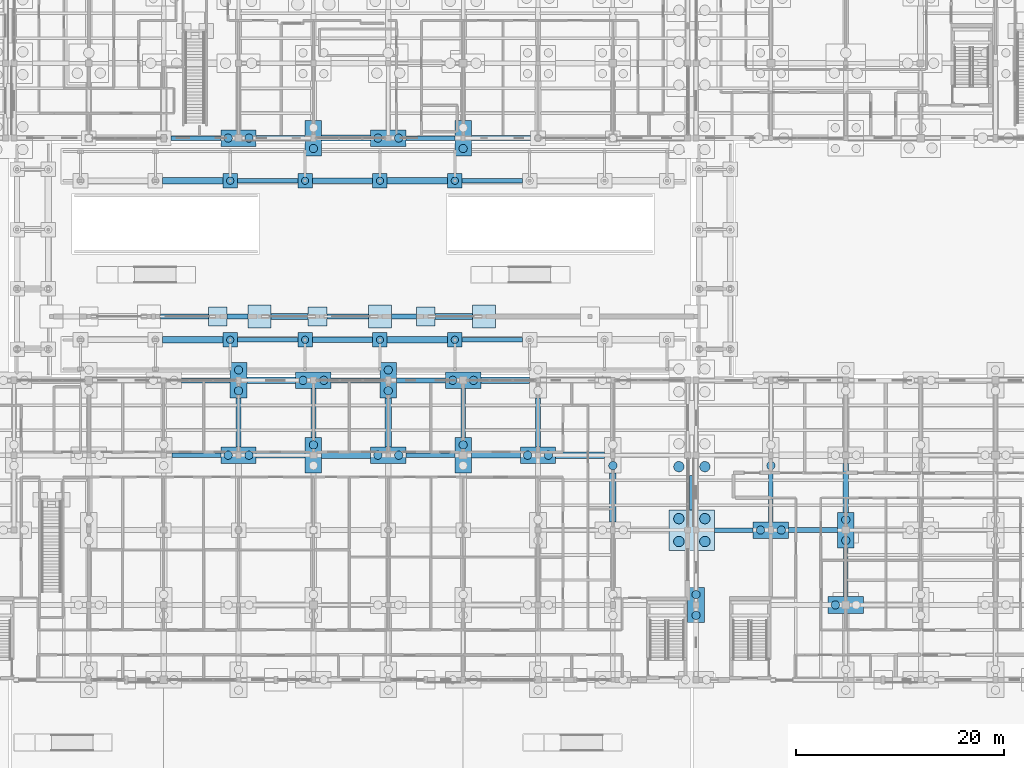
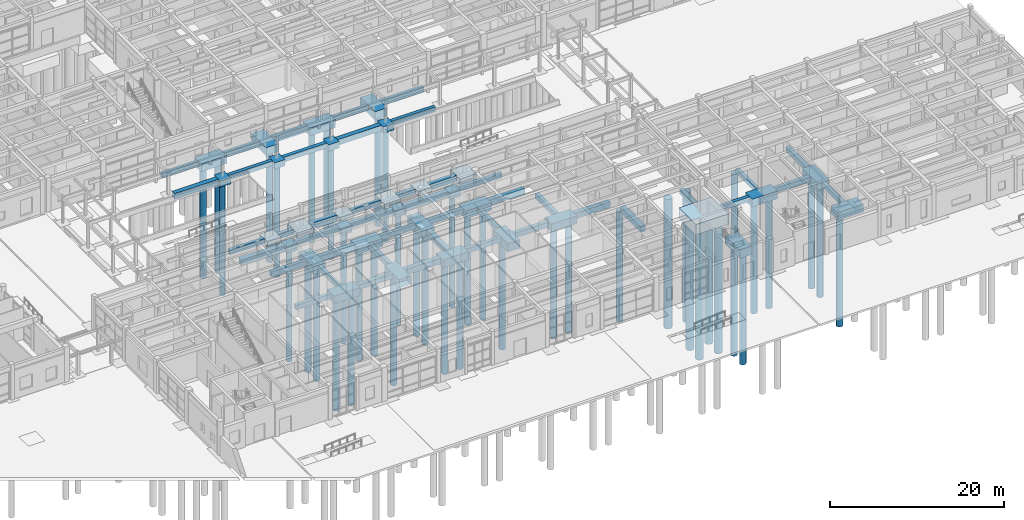
# One storey, part 4 of 143: 76 footings, 45 piles.
"""IFC4 building model written with IfcOpenShell, lengths in metres."""

from ifc_helpers import new_model, si_unit, direction, frame, origin, origin_2d, place, context, subcontext, project, spatial, rectangle, circle, extrude, material, material_profile, profile_set, type_object, element, save


model = new_model("IFC4")

# Units and contexts
model_context = context("Model", 3, precision=1e-05, world=origin(), true_north=direction((0.0, 1.0)))
body_context = subcontext(model_context, "Body", "Model", "MODEL_VIEW")
ifc_project = project(units=[si_unit("LENGTHUNIT", "METRE"), si_unit("AREAUNIT", "SQUARE_METRE"), si_unit("VOLUMEUNIT", "CUBIC_METRE"), si_unit("PLANEANGLEUNIT", "RADIAN"), si_unit("MASSUNIT", "GRAM", prefix="KILO")], contexts=[model_context])

# Site, building, storey
site_placement = place(None, origin())
site = spatial("IfcSite", under=ifc_project, at=site_placement, CompositionType="ELEMENT")
building_placement = place(site_placement, origin())
building = spatial("IfcBuilding", under=site, at=building_placement, Name="Steenspoor Specialist Clinic", CompositionType="ELEMENT")
storey_placement = place(building_placement, origin())
storey = spatial("IfcBuildingStorey", under=building, at=storey_placement, Name="L00", CompositionType="ELEMENT", Elevation=0.0)

# Footings
ifc_material = material(Name="Concrete C35/45", Category="concrete")
footing_type_1 = type_object("IfcFootingType", Name="FTG-PAD-180", PredefinedType="PAD_FOOTING", material=ifc_material)
for number, where, z_axis, x_axis, name in (
    (1, (72.0, 48.0, -0.64990234375), (0.0, 0.0, 1.0), (1.0, 0.0, 0.0), "Pad Footing FTG-PAD-057"),
    (2, (81.60009765625, 48.0, -0.64990234375), (0.0, 0.0, 1.0), (1.0, 0.0, 0.0), "Pad Footing FTG-PAD-059"),
    (3, (92.0, 48.0, -0.64990234375), (0.0, 0.0, 1.0), (1.0, 0.0, 0.0), "Pad Footing FTG-PAD-061"),
):
    element("IfcFooting", number, at=place(storey_placement, frame(where, z_axis=z_axis, x_axis=x_axis)), inside=storey, type_object=footing_type_1, Name=name, PredefinedType="PAD_FOOTING", context=body_context, shape_type="SweptSolid", body=[
        extrude(rectangle(XDim=1.800048828125, YDim=1.800048828125, at=origin_2d()), origin(), (0.0, 0.0, 1.0), 0.64990234375),
    ])
footing_type_2 = type_object("IfcFootingType", Name="FTG-PAD-220", PredefinedType="PAD_FOOTING", material=ifc_material)
for number, where, z_axis, x_axis, name in (
    (4, (76.0, 48.0, -0.75), (0.0, 0.0, 1.0), (1.0, 0.0, 0.0), "Pad Footing FTG-PAD-058"),
    (5, (87.60009765625, 48.0, -0.75), (0.0, 0.0, 1.0), (1.0, 0.0, 0.0), "Pad Footing FTG-PAD-060"),
    (6, (97.60009765625, 48.0, -0.75), (0.0, 0.0, 1.0), (1.0, 0.0, 0.0), "Pad Footing FTG-PAD-062"),
):
    element("IfcFooting", number, at=place(storey_placement, frame(where, z_axis=z_axis, x_axis=x_axis)), inside=storey, type_object=footing_type_2, Name=name, PredefinedType="PAD_FOOTING", context=body_context, shape_type="SweptSolid", body=[
        extrude(rectangle(XDim=2.199951171875, YDim=2.199951171875, at=origin_2d()), origin(), (0.0, 0.0, 1.0), 0.75),
    ])
footing_type_3 = type_object("IfcFootingType", Name="FTG-PC-1P-700", PredefinedType="PILE_CAP", material=ifc_material)
for number, where, z_axis, x_axis, name in (
    (7, (73.199951171875, 61.050048828125, -0.89990234375), (0.0, 0.0, 1.0), (1.0, 0.0, 0.0), "Pad Footing FTG-PAD-030"),
    (8, (80.39990234375, 61.050048828125, -0.89990234375), (0.0, 0.0, 1.0), (1.0, 0.0, 0.0), "Pad Footing FTG-PAD-031"),
    (9, (87.60009765625, 61.050048828125, -0.89990234375), (0.0, 0.0, 1.0), (1.0, 0.0, 0.0), "Pad Footing FTG-PAD-032"),
    (10, (94.800048828125, 61.050048828125, -0.89990234375), (0.0, 0.0, 1.0), (1.0, 0.0, 0.0), "Pad Footing FTG-PAD-033"),
    (11, (73.199951171875, 45.75, -0.89990234375), (0.0, 0.0, 1.0), (1.0, 0.0, 0.0), "Pad Footing FTG-PAD-039"),
    (12, (80.39990234375, 45.75, -0.89990234375), (0.0, 0.0, 1.0), (1.0, 0.0, 0.0), "Pad Footing FTG-PAD-040"),
    (13, (87.60009765625, 45.75, -0.89990234375), (0.0, 0.0, 1.0), (1.0, 0.0, 0.0), "Pad Footing FTG-PAD-041"),
    (14, (94.800048828125, 45.75, -0.89990234375), (0.0, 0.0, 1.0), (1.0, 0.0, 0.0), "Pad Footing FTG-PAD-042"),
):
    element("IfcFooting", number, at=place(storey_placement, frame(where, z_axis=z_axis, x_axis=x_axis)), inside=storey, type_object=footing_type_3, Name=name, PredefinedType="PILE_CAP", context=body_context, shape_type="SweptSolid", body=[
        extrude(rectangle(XDim=1.39990234375, YDim=1.39990234375, at=origin_2d()), origin(), (0.0, 0.0, 1.0), 0.89990234375),
    ])
footing_type_4 = type_object("IfcFootingType", Name="FTG-PC-2P-800X", PredefinedType="PILE_CAP", material=ifc_material)
for number, where, z_axis, x_axis, name in (
    (15, (74.0, 34.64990234375, -1.10009765625), (0.0, 0.0, 1.0), (1.0, 0.0, 0.0), "Pile Cap FTG-PC-022"),
    (16, (81.199951171875, 41.85009765625, -1.10009765625), (0.0, 0.0, 1.0), (1.0, 0.0, 0.0), "Pile Cap FTG-PC-028"),
    (17, (88.39990234375, 34.64990234375, -1.10009765625), (0.0, 0.0, 1.0), (1.0, 0.0, 0.0), "Pile Cap FTG-PC-032"),
    (18, (95.60009765625, 41.85009765625, -1.10009765625), (0.0, 0.0, 1.0), (1.0, 0.0, 0.0), "Pile Cap FTG-PC-038"),
    (19, (102.800048828125, 34.64990234375, -1.10009765625), (0.0, 0.0, 1.0), (1.0, 0.0, 0.0), "Pile Cap FTG-PC-042"),
    (20, (125.199951171875, 27.449951171875, -1.10009765625), (0.0, 0.0, 1.0), (1.0, 0.0, 0.0), "Pile Cap FTG-PC-054"),
    (21, (132.39990234375, 20.25, -1.10009765625), (0.0, 0.0, 1.0), (1.0, 0.0, 0.0), "Pile Cap FTG-PC-058"),
    (22, (74.0, 65.14990234375, -1.10009765625), (0.0, 0.0, 1.0), (1.0, 0.0, 0.0), "Pile Cap FTG-PC-120"),
    (23, (88.39990234375, 65.14990234375, -1.10009765625), (0.0, 0.0, 1.0), (1.0, 0.0, 0.0), "Pile Cap FTG-PC-134"),
):
    element("IfcFooting", number, at=place(storey_placement, frame(where, z_axis=z_axis, x_axis=x_axis)), inside=storey, type_object=footing_type_4, Name=name, PredefinedType="PILE_CAP", context=body_context, shape_type="SweptSolid", body=[
        extrude(rectangle(XDim=3.39990234375, YDim=1.60009765625, at=origin_2d()), origin(), (0.0, 0.0, 1.0), 1.10009765625),
    ])
footing_type_5 = type_object("IfcFootingType", Name="FTG-PC-2P-800Y", PredefinedType="PILE_CAP", material=ifc_material)
for number, where, z_axis, x_axis, name in (
    (24, (74.0, 41.85009765625, -1.14990234375), (0.0, 0.0, 1.0), (1.0, 0.0, 0.0), "Pile Cap FTG-PC-023"),
    (25, (81.199951171875, 34.64990234375, -1.14990234375), (0.0, 0.0, 1.0), (1.0, 0.0, 0.0), "Pile Cap FTG-PC-027"),
    (26, (88.39990234375, 41.85009765625, -1.14990234375), (0.0, 0.0, 1.0), (1.0, 0.0, 0.0), "Pile Cap FTG-PC-033"),
    (27, (95.60009765625, 34.64990234375, -1.14990234375), (0.0, 0.0, 1.0), (1.0, 0.0, 0.0), "Pile Cap FTG-PC-037"),
    (28, (118.0, 20.25, -1.14990234375), (0.0, 0.0, 1.0), (1.0, 0.0, 0.0), "Pile Cap FTG-PC-053"),
    (29, (132.39990234375, 27.449951171875, -1.14990234375), (0.0, 0.0, 1.0), (1.0, 0.0, 0.0), "Pile Cap FTG-PC-059"),
    (30, (81.199951171875, 65.14990234375, -1.14990234375), (0.0, 0.0, 1.0), (1.0, 0.0, 0.0), "Pile Cap FTG-PC-127"),
    (31, (95.60009765625, 65.14990234375, -1.14990234375), (0.0, 0.0, 1.0), (1.0, 0.0, 0.0), "Pile Cap FTG-PC-141"),
):
    element("IfcFooting", number, at=place(storey_placement, frame(where, z_axis=z_axis, x_axis=x_axis)), inside=storey, type_object=footing_type_5, Name=name, PredefinedType="PILE_CAP", context=body_context, shape_type="SweptSolid", body=[
        extrude(rectangle(XDim=1.60009765625, YDim=3.39990234375, at=origin_2d()), origin(), (0.0, 0.0, 1.0), 1.14990234375),
    ])
footing_type_6 = type_object("IfcFootingType", Name="FTG-PC-SJ-4P", PredefinedType="PILE_CAP", material=ifc_material)
footing_1_placement = place(storey_placement, frame((117.60009765625, 27.449951171875, -1.4501953125), z_axis=(0.0, 0.0, 1.0), x_axis=(1.0, 0.0, 0.0)))
element("IfcFooting", 32, at=footing_1_placement, inside=storey, type_object=footing_type_6, Name="Pile Cap FTG-PC-049", PredefinedType="PILE_CAP", context=body_context, shape_type="SweptSolid", body=[
    extrude(rectangle(XDim=4.39990234375, YDim=3.89990234375, at=origin_2d()), origin(), (0.0, 0.0, 1.0), 1.449951171875),
])
footing_type_7 = type_object("IfcFootingType", Name="FTG-TB-450X650", PredefinedType="FOOTING_BEAM", material=ifc_material)
footing_2_placement = place(storey_placement, frame((121.64990234375, 27.449951171875, -0.64990234375), z_axis=(0.0, 0.0, 1.0), x_axis=(1.0, 0.0, 0.0)))
element("IfcFooting", 33, at=footing_2_placement, inside=storey, type_object=footing_type_7, Name="Seismic Tie Beam FTG-TB-041", PredefinedType="FOOTING_BEAM", context=body_context, shape_type="SweptSolid", body=[
    extrude(rectangle(XDim=3.699951171875, YDim=0.449951171875, at=origin_2d()), origin(), (0.0, 0.0, 1.0), 0.64990234375),
])
for number, where, z_axis, x_axis, name in (
    (34, (69.949951171875, 34.64990234375, -0.64990234375), (0.0, 0.0, 1.0), (1.0, 0.0, 0.0), "Seismic Tie Beam FTG-TB-056"),
    (35, (92.449951171875, 34.64990234375, -0.64990234375), (0.0, 0.0, 1.0), (1.0, 0.0, 0.0), "Seismic Tie Beam FTG-TB-059"),
    (36, (85.25, 41.85009765625, -0.64990234375), (0.0, 0.0, 1.0), (1.0, 0.0, 0.0), "Seismic Tie Beam FTG-TB-080"),
):
    element("IfcFooting", number, at=place(storey_placement, frame(where, z_axis=z_axis, x_axis=x_axis)), inside=storey, type_object=footing_type_7, Name=name, PredefinedType="FOOTING_BEAM", context=body_context, shape_type="SweptSolid", body=[
        extrude(rectangle(XDim=4.699951171875, YDim=0.449951171875, at=origin_2d()), origin(), (0.0, 0.0, 1.0), 0.64990234375),
    ])
for number, where, z_axis, x_axis, name in (
    (37, (76.800048828125, 45.75, -0.64990234375), (0.0, 0.0, 1.0), (1.0, 0.0, 0.0), "Seismic Tie Beam FTG-TB-095"),
    (38, (98.39990234375, 45.75, -0.64990234375), (0.0, 0.0, 1.0), (1.0, 0.0, 0.0), "Seismic Tie Beam FTG-TB-098"),
):
    element("IfcFooting", number, at=place(storey_placement, frame(where, z_axis=z_axis, x_axis=x_axis)), inside=storey, type_object=footing_type_7, Name=name, PredefinedType="FOOTING_BEAM", context=body_context, shape_type="SweptSolid", body=[
        extrude(rectangle(XDim=5.800048828125, YDim=0.449951171875, at=origin_2d()), origin(), (0.0, 0.0, 1.0), 0.64990234375),
    ])
footing_3_placement = place(storey_placement, frame((68.800048828125, 48.0, -0.64990234375), z_axis=(0.0, 0.0, 1.0), x_axis=(1.0, 0.0, 0.0)))
element("IfcFooting", 39, at=footing_3_placement, inside=storey, type_object=footing_type_7, Name="Seismic Tie Beam FTG-TB-104", PredefinedType="FOOTING_BEAM", context=body_context, shape_type="SweptSolid", body=[
    extrude(rectangle(XDim=4.60009765625, YDim=0.449951171875, at=origin_2d()), origin(), (0.0, 0.0, 1.0), 0.64990234375),
])
footing_4_placement = place(storey_placement, frame((84.5, 48.0, -0.64990234375), z_axis=(0.0, 0.0, 1.0), x_axis=(1.0, 0.0, 0.0)))
element("IfcFooting", 40, at=footing_4_placement, inside=storey, type_object=footing_type_7, Name="Seismic Tie Beam FTG-TB-107", PredefinedType="FOOTING_BEAM", context=body_context, shape_type="SweptSolid", body=[
    extrude(rectangle(XDim=4.0, YDim=0.449951171875, at=origin_2d()), origin(), (0.0, 0.0, 1.0), 0.64990234375),
])
for number, where, z_axis, x_axis, name in (
    (41, (76.800048828125, 61.050048828125, -0.64990234375), (0.0, 0.0, 1.0), (1.0, 0.0, 0.0), "Seismic Tie Beam FTG-TB-122"),
    (42, (98.39990234375, 61.050048828125, -0.64990234375), (0.0, 0.0, 1.0), (1.0, 0.0, 0.0), "Seismic Tie Beam FTG-TB-125"),
):
    element("IfcFooting", number, at=place(storey_placement, frame(where, z_axis=z_axis, x_axis=x_axis)), inside=storey, type_object=footing_type_7, Name=name, PredefinedType="FOOTING_BEAM", context=body_context, shape_type="SweptSolid", body=[
        extrude(rectangle(XDim=5.800048828125, YDim=0.449951171875, at=origin_2d()), origin(), (0.0, 0.0, 1.0), 0.64990234375),
    ])
footing_5_placement = place(storey_placement, frame((69.89990234375, 65.14990234375, -0.64990234375), z_axis=(0.0, 0.0, 1.0), x_axis=(1.0, 0.0, 0.0)))
element("IfcFooting", 43, at=footing_5_placement, inside=storey, type_object=footing_type_7, Name="Seismic Tie Beam FTG-TB-137", PredefinedType="FOOTING_BEAM", context=body_context, shape_type="SweptSolid", body=[
    extrude(rectangle(XDim=4.800048828125, YDim=0.449951171875, at=origin_2d()), origin(), (0.0, 0.0, 1.0), 0.64990234375),
])
footing_6_placement = place(storey_placement, frame((92.449951171875, 65.14990234375, -0.64990234375), z_axis=(0.0, 0.0, 1.0), x_axis=(1.0, 0.0, 0.0)))
element("IfcFooting", 44, at=footing_6_placement, inside=storey, type_object=footing_type_7, Name="Seismic Tie Beam FTG-TB-140", PredefinedType="FOOTING_BEAM", context=body_context, shape_type="SweptSolid", body=[
    extrude(rectangle(XDim=4.699951171875, YDim=0.449951171875, at=origin_2d()), origin(), (0.0, 0.0, 1.0), 0.64990234375),
])
for number, where, z_axis, x_axis, name in (
    (45, (74.0, 37.800048828125, -0.64990234375), (0.0, 0.0, 1.0), (1.0, 0.0, 0.0), "Seismic Tie Beam FTG-TB-350"),
    (46, (95.60009765625, 38.699951171875, -0.64990234375), (0.0, 0.0, 1.0), (1.0, 0.0, 0.0), "Seismic Tie Beam FTG-TB-380"),
    (47, (125.199951171875, 30.60009765625, -0.64990234375), (0.0, 0.0, 1.0), (1.0, 0.0, 0.0), "Seismic Tie Beam FTG-TB-419"),
    (48, (132.39990234375, 23.39990234375, -0.64990234375), (0.0, 0.0, 1.0), (1.0, 0.0, 0.0), "Seismic Tie Beam FTG-TB-428"),
):
    element("IfcFooting", number, at=place(storey_placement, frame(where, z_axis=z_axis, x_axis=x_axis)), inside=storey, type_object=footing_type_7, Name=name, PredefinedType="FOOTING_BEAM", context=body_context, shape_type="SweptSolid", body=[
        extrude(rectangle(XDim=0.449951171875, YDim=4.699951171875, at=origin_2d()), origin(), (0.0, 0.0, 1.0), 0.64990234375),
    ])
footing_type_8 = type_object("IfcFootingType", Name="FTG-TB-500X700", PredefinedType="FOOTING_BEAM", material=ifc_material)
for number, where, z_axis, x_axis, name in (
    (49, (129.25, 27.449951171875, -0.7001953125), (0.0, 0.0, 1.0), (1.0, 0.0, 0.0), "Seismic Tie Beam FTG-TB-042"),
    (50, (78.050048828125, 34.64990234375, -0.7001953125), (0.0, 0.0, 1.0), (1.0, 0.0, 0.0), "Seismic Tie Beam FTG-TB-057"),
    (51, (98.75, 34.64990234375, -0.7001953125), (0.0, 0.0, 1.0), (1.0, 0.0, 0.0), "Seismic Tie Beam FTG-TB-060"),
    (52, (70.85009765625, 41.85009765625, -0.7001953125), (0.0, 0.0, 1.0), (1.0, 0.0, 0.0), "Seismic Tie Beam FTG-TB-078"),
    (53, (91.550048828125, 41.85009765625, -0.7001953125), (0.0, 0.0, 1.0), (1.0, 0.0, 0.0), "Seismic Tie Beam FTG-TB-081"),
):
    element("IfcFooting", number, at=place(storey_placement, frame(where, z_axis=z_axis, x_axis=x_axis)), inside=storey, type_object=footing_type_8, Name=name, PredefinedType="FOOTING_BEAM", context=body_context, shape_type="SweptSolid", body=[
        extrude(rectangle(XDim=4.699951171875, YDim=0.5, at=origin_2d()), origin(), (0.0, 0.0, 1.0), 0.699951171875),
    ])
footing_7_placement = place(storey_placement, frame((84.0, 45.75, -0.7001953125), z_axis=(0.0, 0.0, 1.0), x_axis=(1.0, 0.0, 0.0)))
element("IfcFooting", 54, at=footing_7_placement, inside=storey, type_object=footing_type_8, Name="Seismic Tie Beam FTG-TB-096", PredefinedType="FOOTING_BEAM", context=body_context, shape_type="SweptSolid", body=[
    extrude(rectangle(XDim=5.800048828125, YDim=0.5, at=origin_2d()), origin(), (0.0, 0.0, 1.0), 0.699951171875),
])
footing_8_placement = place(storey_placement, frame((73.89990234375, 48.0, -0.7001953125), z_axis=(0.0, 0.0, 1.0), x_axis=(1.0, 0.0, 0.0)))
element("IfcFooting", 55, at=footing_8_placement, inside=storey, type_object=footing_type_8, Name="Seismic Tie Beam FTG-TB-105", PredefinedType="FOOTING_BEAM", context=body_context, shape_type="SweptSolid", body=[
    extrude(rectangle(XDim=2.0, YDim=0.5, at=origin_2d()), origin(), (0.0, 0.0, 1.0), 0.699951171875),
])
footing_9_placement = place(storey_placement, frame((89.89990234375, 48.0, -0.7001953125), z_axis=(0.0, 0.0, 1.0), x_axis=(1.0, 0.0, 0.0)))
element("IfcFooting", 56, at=footing_9_placement, inside=storey, type_object=footing_type_8, Name="Seismic Tie Beam FTG-TB-108", PredefinedType="FOOTING_BEAM", context=body_context, shape_type="SweptSolid", body=[
    extrude(rectangle(XDim=2.39990234375, YDim=0.5, at=origin_2d()), origin(), (0.0, 0.0, 1.0), 0.699951171875),
])
footing_10_placement = place(storey_placement, frame((84.0, 61.050048828125, -0.7001953125), z_axis=(0.0, 0.0, 1.0), x_axis=(1.0, 0.0, 0.0)))
element("IfcFooting", 57, at=footing_10_placement, inside=storey, type_object=footing_type_8, Name="Seismic Tie Beam FTG-TB-123", PredefinedType="FOOTING_BEAM", context=body_context, shape_type="SweptSolid", body=[
    extrude(rectangle(XDim=5.800048828125, YDim=0.5, at=origin_2d()), origin(), (0.0, 0.0, 1.0), 0.699951171875),
])
footing_11_placement = place(storey_placement, frame((78.050048828125, 65.14990234375, -0.7001953125), z_axis=(0.0, 0.0, 1.0), x_axis=(1.0, 0.0, 0.0)))
element("IfcFooting", 58, at=footing_11_placement, inside=storey, type_object=footing_type_8, Name="Seismic Tie Beam FTG-TB-138", PredefinedType="FOOTING_BEAM", context=body_context, shape_type="SweptSolid", body=[
    extrude(rectangle(XDim=4.699951171875, YDim=0.5, at=origin_2d()), origin(), (0.0, 0.0, 1.0), 0.699951171875),
])
footing_12_placement = place(storey_placement, frame((99.25, 65.14990234375, -0.7001953125), z_axis=(0.0, 0.0, 1.0), x_axis=(1.0, 0.0, 0.0)))
element("IfcFooting", 59, at=footing_12_placement, inside=storey, type_object=footing_type_8, Name="Seismic Tie Beam FTG-TB-141", PredefinedType="FOOTING_BEAM", context=body_context, shape_type="SweptSolid", body=[
    extrude(rectangle(XDim=5.699951171875, YDim=0.5, at=origin_2d()), origin(), (0.0, 0.0, 1.0), 0.699951171875),
])
for number, where, z_axis, x_axis, name in (
    (60, (81.199951171875, 38.699951171875, -0.7001953125), (0.0, 0.0, 1.0), (1.0, 0.0, 0.0), "Seismic Tie Beam FTG-TB-360"),
    (61, (102.800048828125, 37.800048828125, -0.7001953125), (0.0, 0.0, 1.0), (1.0, 0.0, 0.0), "Seismic Tie Beam FTG-TB-390"),
):
    element("IfcFooting", number, at=place(storey_placement, frame(where, z_axis=z_axis, x_axis=x_axis)), inside=storey, type_object=footing_type_8, Name=name, PredefinedType="FOOTING_BEAM", context=body_context, shape_type="SweptSolid", body=[
        extrude(rectangle(XDim=0.5, YDim=4.699951171875, at=origin_2d()), origin(), (0.0, 0.0, 1.0), 0.699951171875),
    ])
footing_13_placement = place(storey_placement, frame((117.60009765625, 31.050048828125, -0.7001953125), z_axis=(0.0, 0.0, 1.0), x_axis=(1.0, 0.0, 0.0)))
element("IfcFooting", 62, at=footing_13_placement, inside=storey, type_object=footing_type_8, Name="Seismic Tie Beam FTG-TB-405", PredefinedType="FOOTING_BEAM", context=body_context, shape_type="SweptSolid", body=[
    extrude(rectangle(XDim=0.5, YDim=3.300048828125, at=origin_2d()), origin(), (0.0, 0.0, 1.0), 0.699951171875),
])
footing_14_placement = place(storey_placement, frame((132.39990234375, 31.5, -0.7001953125), z_axis=(0.0, 0.0, 1.0), x_axis=(1.0, 0.0, 0.0)))
element("IfcFooting", 63, at=footing_14_placement, inside=storey, type_object=footing_type_8, Name="Seismic Tie Beam FTG-TB-429", PredefinedType="FOOTING_BEAM", context=body_context, shape_type="SweptSolid", body=[
    extrude(rectangle(XDim=0.5, YDim=4.699951171875, at=origin_2d()), origin(), (0.0, 0.0, 1.0), 0.699951171875),
])
footing_type_9 = type_object("IfcFootingType", Name="FTG-TB-600X800", PredefinedType="FOOTING_BEAM", material=ifc_material)
for number, where, z_axis, x_axis, name in (
    (64, (84.35009765625, 34.64990234375, -0.7998046875), (0.0, 0.0, 1.0), (1.0, 0.0, 0.0), "Seismic Tie Beam FTG-TB-058"),
    (65, (106.85009765625, 34.64990234375, -0.7998046875), (0.0, 0.0, 1.0), (1.0, 0.0, 0.0), "Seismic Tie Beam FTG-TB-061"),
    (66, (77.14990234375, 41.85009765625, -0.7998046875), (0.0, 0.0, 1.0), (1.0, 0.0, 0.0), "Seismic Tie Beam FTG-TB-079"),
    (67, (99.64990234375, 41.85009765625, -0.7998046875), (0.0, 0.0, 1.0), (1.0, 0.0, 0.0), "Seismic Tie Beam FTG-TB-082"),
):
    element("IfcFooting", number, at=place(storey_placement, frame(where, z_axis=z_axis, x_axis=x_axis)), inside=storey, type_object=footing_type_9, Name=name, PredefinedType="FOOTING_BEAM", context=body_context, shape_type="SweptSolid", body=[
        extrude(rectangle(XDim=4.699951171875, YDim=0.60009765625, at=origin_2d()), origin(), (0.0, 0.0, 1.0), 0.800048828125),
    ])
for number, where, z_axis, x_axis, name in (
    (68, (69.60009765625, 45.75, -0.7998046875), (0.0, 0.0, 1.0), (1.0, 0.0, 0.0), "Seismic Tie Beam FTG-TB-094"),
    (69, (91.199951171875, 45.75, -0.7998046875), (0.0, 0.0, 1.0), (1.0, 0.0, 0.0), "Seismic Tie Beam FTG-TB-097"),
):
    element("IfcFooting", number, at=place(storey_placement, frame(where, z_axis=z_axis, x_axis=x_axis)), inside=storey, type_object=footing_type_9, Name=name, PredefinedType="FOOTING_BEAM", context=body_context, shape_type="SweptSolid", body=[
        extrude(rectangle(XDim=5.800048828125, YDim=0.60009765625, at=origin_2d()), origin(), (0.0, 0.0, 1.0), 0.800048828125),
    ])
for number, where, z_axis, x_axis, name in (
    (70, (78.89990234375, 48.0, -0.7998046875), (0.0, 0.0, 1.0), (1.0, 0.0, 0.0), "Seismic Tie Beam FTG-TB-106"),
    (71, (94.699951171875, 48.0, -0.7998046875), (0.0, 0.0, 1.0), (1.0, 0.0, 0.0), "Seismic Tie Beam FTG-TB-109"),
):
    element("IfcFooting", number, at=place(storey_placement, frame(where, z_axis=z_axis, x_axis=x_axis)), inside=storey, type_object=footing_type_9, Name=name, PredefinedType="FOOTING_BEAM", context=body_context, shape_type="SweptSolid", body=[
        extrude(rectangle(XDim=3.60009765625, YDim=0.60009765625, at=origin_2d()), origin(), (0.0, 0.0, 1.0), 0.800048828125),
    ])
for number, where, z_axis, x_axis, name in (
    (72, (69.60009765625, 61.050048828125, -0.7998046875), (0.0, 0.0, 1.0), (1.0, 0.0, 0.0), "Seismic Tie Beam FTG-TB-121"),
    (73, (91.199951171875, 61.050048828125, -0.7998046875), (0.0, 0.0, 1.0), (1.0, 0.0, 0.0), "Seismic Tie Beam FTG-TB-124"),
):
    element("IfcFooting", number, at=place(storey_placement, frame(where, z_axis=z_axis, x_axis=x_axis)), inside=storey, type_object=footing_type_9, Name=name, PredefinedType="FOOTING_BEAM", context=body_context, shape_type="SweptSolid", body=[
        extrude(rectangle(XDim=5.800048828125, YDim=0.60009765625, at=origin_2d()), origin(), (0.0, 0.0, 1.0), 0.800048828125),
    ])
footing_15_placement = place(storey_placement, frame((84.35009765625, 65.14990234375, -0.7998046875), z_axis=(0.0, 0.0, 1.0), x_axis=(1.0, 0.0, 0.0)))
element("IfcFooting", 74, at=footing_15_placement, inside=storey, type_object=footing_type_9, Name="Seismic Tie Beam FTG-TB-139", PredefinedType="FOOTING_BEAM", context=body_context, shape_type="SweptSolid", body=[
    extrude(rectangle(XDim=4.699951171875, YDim=0.60009765625, at=origin_2d()), origin(), (0.0, 0.0, 1.0), 0.800048828125),
])
for number, where, z_axis, x_axis, name in (
    (75, (88.39990234375, 37.800048828125, -0.7998046875), (0.0, 0.0, 1.0), (1.0, 0.0, 0.0), "Seismic Tie Beam FTG-TB-370"),
    (76, (110.0, 30.60009765625, -0.7998046875), (0.0, 0.0, 1.0), (1.0, 0.0, 0.0), "Seismic Tie Beam FTG-TB-397"),
):
    element("IfcFooting", number, at=place(storey_placement, frame(where, z_axis=z_axis, x_axis=x_axis)), inside=storey, type_object=footing_type_9, Name=name, PredefinedType="FOOTING_BEAM", context=body_context, shape_type="SweptSolid", body=[
        extrude(rectangle(XDim=0.60009765625, YDim=4.699951171875, at=origin_2d()), origin(), (0.0, 0.0, 1.0), 0.800048828125),
    ])

# Piles
ifc_material_profile_1 = material_profile(ifc_material, circle(Radius=0.5, at=origin_2d()), Name="PILE-D1000")
ifc_profile_set_1 = profile_set([ifc_material_profile_1], Name="Concrete C35/45")
pile_type_1 = type_object("IfcPileType", Name="PILE-RC-D1000", PredefinedType="BORED", material=ifc_profile_set_1)
for number, where, z_axis, x_axis, name in (
    (77, (116.35009765625, 26.35009765625, -1.35009765625), (0.0, 0.0, -1.0), (1.0, 0.0, 0.0), "Bored Pile PILE-0092"),
    (78, (118.85009765625, 26.35009765625, -1.35009765625), (0.0, 0.0, -1.0), (1.0, 0.0, 0.0), "Bored Pile PILE-0093"),
    (79, (116.35009765625, 28.550048828125, -1.35009765625), (0.0, 0.0, -1.0), (1.0, 0.0, 0.0), "Bored Pile PILE-0094"),
    (80, (118.85009765625, 28.550048828125, -1.35009765625), (0.0, 0.0, -1.0), (1.0, 0.0, 0.0), "Bored Pile PILE-0095"),
    (81, (116.35009765625, 33.550048828125, -1.35009765625), (0.0, 0.0, -1.0), (1.0, 0.0, 0.0), "Bored Pile PILE-0096"),
    (82, (118.85009765625, 33.550048828125, -1.35009765625), (0.0, 0.0, -1.0), (1.0, 0.0, 0.0), "Bored Pile PILE-0097"),
):
    element("IfcPile", number, at=place(storey_placement, frame(where, z_axis=z_axis, x_axis=x_axis)), inside=storey, type_object=pile_type_1, Name=name, PredefinedType="BORED", context=body_context, shape_type="SweptSolid", body=[
        extrude(circle(Radius=0.5, at=origin_2d()), origin(), (0.0, 0.0, 1.0), 18.14990234375),
    ])
ifc_material_profile_2 = material_profile(ifc_material, circle(Radius=0.35009765625, at=origin_2d()), Name="PILE-D700")
ifc_profile_set_2 = profile_set([ifc_material_profile_2], Name="Concrete C35/45")
pile_type_2 = type_object("IfcPileType", Name="PILE-RC-D700", PredefinedType="BORED", material=ifc_profile_set_2)
for number, where, z_axis, x_axis, name in (
    (83, (73.199951171875, 61.050048828125, -0.800048828125), (0.0, 0.0, -1.0), (1.0, 0.0, 0.0), "Bored Pile PILE-0639"),
    (84, (80.39990234375, 61.050048828125, -0.800048828125), (0.0, 0.0, -1.0), (1.0, 0.0, 0.0), "Bored Pile PILE-0640"),
    (85, (87.60009765625, 61.050048828125, -0.800048828125), (0.0, 0.0, -1.0), (1.0, 0.0, 0.0), "Bored Pile PILE-0641"),
    (86, (94.800048828125, 61.050048828125, -0.800048828125), (0.0, 0.0, -1.0), (1.0, 0.0, 0.0), "Bored Pile PILE-0642"),
    (87, (73.199951171875, 45.75, -0.800048828125), (0.0, 0.0, -1.0), (1.0, 0.0, 0.0), "Bored Pile PILE-0648"),
    (88, (80.39990234375, 45.75, -0.800048828125), (0.0, 0.0, -1.0), (1.0, 0.0, 0.0), "Bored Pile PILE-0649"),
    (89, (87.60009765625, 45.75, -0.800048828125), (0.0, 0.0, -1.0), (1.0, 0.0, 0.0), "Bored Pile PILE-0650"),
    (90, (94.800048828125, 45.75, -0.800048828125), (0.0, 0.0, -1.0), (1.0, 0.0, 0.0), "Bored Pile PILE-0651"),
):
    element("IfcPile", number, at=place(storey_placement, frame(where, z_axis=z_axis, x_axis=x_axis)), inside=storey, type_object=pile_type_2, Name=name, PredefinedType="BORED", context=body_context, shape_type="SweptSolid", body=[
        extrude(circle(Radius=0.35009765625, at=origin_2d()), origin(), (0.0, 0.0, 1.0), 15.699951171875),
    ])
ifc_material_profile_3 = material_profile(ifc_material, circle(Radius=0.39990234375, at=origin_2d()), Name="PILE-D800")
ifc_profile_set_3 = profile_set([ifc_material_profile_3], Name="Concrete C35/45")
pile_type_3 = type_object("IfcPileType", Name="PILE-RC-D800", PredefinedType="BORED", material=ifc_profile_set_3)
for number, where, z_axis, x_axis, name in (
    (91, (73.0, 34.64990234375, -1.0), (0.0, 0.0, -1.0), (1.0, 0.0, 0.0), "Bored Pile PILE-0041"),
    (92, (75.0, 34.64990234375, -1.0), (0.0, 0.0, -1.0), (1.0, 0.0, 0.0), "Bored Pile PILE-0042"),
):
    element("IfcPile", number, at=place(storey_placement, frame(where, z_axis=z_axis, x_axis=x_axis)), inside=storey, type_object=pile_type_3, Name=name, PredefinedType="BORED", context=body_context, shape_type="SweptSolid", body=[
        extrude(circle(Radius=0.39990234375, at=origin_2d()), origin(), (0.0, 0.0, 1.0), 15.5),
    ])
for number, where, z_axis, x_axis, name in (
    (93, (74.0, 40.85009765625, -1.050048828125), (0.0, 0.0, -1.0), (1.0, 0.0, 0.0), "Bored Pile PILE-0043"),
    (94, (74.0, 42.85009765625, -1.050048828125), (0.0, 0.0, -1.0), (1.0, 0.0, 0.0), "Bored Pile PILE-0044"),
    (95, (81.199951171875, 35.64990234375, -1.050048828125), (0.0, 0.0, -1.0), (1.0, 0.0, 0.0), "Bored Pile PILE-0051"),
):
    element("IfcPile", number, at=place(storey_placement, frame(where, z_axis=z_axis, x_axis=x_axis)), inside=storey, type_object=pile_type_3, Name=name, PredefinedType="BORED", context=body_context, shape_type="SweptSolid", body=[
        extrude(circle(Radius=0.39990234375, at=origin_2d()), origin(), (0.0, 0.0, 1.0), 15.449951171875),
    ])
for number, where, z_axis, x_axis, name in (
    (96, (80.199951171875, 41.85009765625, -1.0), (0.0, 0.0, -1.0), (1.0, 0.0, 0.0), "Bored Pile PILE-0052"),
    (97, (82.199951171875, 41.85009765625, -1.0), (0.0, 0.0, -1.0), (1.0, 0.0, 0.0), "Bored Pile PILE-0053"),
    (98, (87.39990234375, 34.64990234375, -1.0), (0.0, 0.0, -1.0), (1.0, 0.0, 0.0), "Bored Pile PILE-0059"),
    (99, (89.39990234375, 34.64990234375, -1.0), (0.0, 0.0, -1.0), (1.0, 0.0, 0.0), "Bored Pile PILE-0060"),
):
    element("IfcPile", number, at=place(storey_placement, frame(where, z_axis=z_axis, x_axis=x_axis)), inside=storey, type_object=pile_type_3, Name=name, PredefinedType="BORED", context=body_context, shape_type="SweptSolid", body=[
        extrude(circle(Radius=0.39990234375, at=origin_2d()), origin(), (0.0, 0.0, 1.0), 15.5),
    ])
for number, where, z_axis, x_axis, name in (
    (100, (88.39990234375, 40.85009765625, -1.050048828125), (0.0, 0.0, -1.0), (1.0, 0.0, 0.0), "Bored Pile PILE-0061"),
    (101, (88.39990234375, 42.85009765625, -1.050048828125), (0.0, 0.0, -1.0), (1.0, 0.0, 0.0), "Bored Pile PILE-0062"),
    (102, (95.60009765625, 35.64990234375, -1.050048828125), (0.0, 0.0, -1.0), (1.0, 0.0, 0.0), "Bored Pile PILE-0069"),
):
    element("IfcPile", number, at=place(storey_placement, frame(where, z_axis=z_axis, x_axis=x_axis)), inside=storey, type_object=pile_type_3, Name=name, PredefinedType="BORED", context=body_context, shape_type="SweptSolid", body=[
        extrude(circle(Radius=0.39990234375, at=origin_2d()), origin(), (0.0, 0.0, 1.0), 15.449951171875),
    ])
for number, where, z_axis, x_axis, name in (
    (103, (94.60009765625, 41.85009765625, -1.0), (0.0, 0.0, -1.0), (1.0, 0.0, 0.0), "Bored Pile PILE-0070"),
    (104, (96.60009765625, 41.85009765625, -1.0), (0.0, 0.0, -1.0), (1.0, 0.0, 0.0), "Bored Pile PILE-0071"),
    (105, (101.800048828125, 34.64990234375, -1.0), (0.0, 0.0, -1.0), (1.0, 0.0, 0.0), "Bored Pile PILE-0078"),
    (106, (103.800048828125, 34.64990234375, -1.0), (0.0, 0.0, -1.0), (1.0, 0.0, 0.0), "Bored Pile PILE-0079"),
):
    element("IfcPile", number, at=place(storey_placement, frame(where, z_axis=z_axis, x_axis=x_axis)), inside=storey, type_object=pile_type_3, Name=name, PredefinedType="BORED", context=body_context, shape_type="SweptSolid", body=[
        extrude(circle(Radius=0.39990234375, at=origin_2d()), origin(), (0.0, 0.0, 1.0), 15.5),
    ])
for number, where, z_axis, x_axis, name in (
    (107, (110.0, 33.64990234375, -1.050048828125), (0.0, 0.0, -1.0), (1.0, 0.0, 0.0), "Bored Pile PILE-0088"),
    (108, (118.0, 19.25, -1.050048828125), (0.0, 0.0, -1.0), (1.0, 0.0, 0.0), "Bored Pile PILE-0106"),
    (109, (118.0, 21.25, -1.050048828125), (0.0, 0.0, -1.0), (1.0, 0.0, 0.0), "Bored Pile PILE-0107"),
):
    element("IfcPile", number, at=place(storey_placement, frame(where, z_axis=z_axis, x_axis=x_axis)), inside=storey, type_object=pile_type_3, Name=name, PredefinedType="BORED", context=body_context, shape_type="SweptSolid", body=[
        extrude(circle(Radius=0.39990234375, at=origin_2d()), origin(), (0.0, 0.0, 1.0), 15.449951171875),
    ])
for number, where, z_axis, x_axis, name in (
    (110, (124.199951171875, 27.449951171875, -1.0), (0.0, 0.0, -1.0), (1.0, 0.0, 0.0), "Bored Pile PILE-0108"),
    (111, (126.199951171875, 27.449951171875, -1.0), (0.0, 0.0, -1.0), (1.0, 0.0, 0.0), "Bored Pile PILE-0109"),
):
    element("IfcPile", number, at=place(storey_placement, frame(where, z_axis=z_axis, x_axis=x_axis)), inside=storey, type_object=pile_type_3, Name=name, PredefinedType="BORED", context=body_context, shape_type="SweptSolid", body=[
        extrude(circle(Radius=0.39990234375, at=origin_2d()), origin(), (0.0, 0.0, 1.0), 15.5),
    ])
pile_1_placement = place(storey_placement, frame((125.199951171875, 33.64990234375, -1.050048828125), z_axis=(0.0, 0.0, -1.0), x_axis=(1.0, 0.0, 0.0)))
element("IfcPile", 112, at=pile_1_placement, inside=storey, type_object=pile_type_3, Name="Bored Pile PILE-0110", PredefinedType="BORED", context=body_context, shape_type="SweptSolid", body=[
    extrude(circle(Radius=0.39990234375, at=origin_2d()), origin(), (0.0, 0.0, 1.0), 15.449951171875),
])
pile_2_placement = place(storey_placement, frame((131.39990234375, 20.25, -1.0), z_axis=(0.0, 0.0, -1.0), x_axis=(1.0, 0.0, 0.0)))
element("IfcPile", 113, at=pile_2_placement, inside=storey, type_object=pile_type_3, Name="Bored Pile PILE-0116", PredefinedType="BORED", context=body_context, shape_type="SweptSolid", body=[
    extrude(circle(Radius=0.39990234375, at=origin_2d()), origin(), (0.0, 0.0, 1.0), 15.5),
])
for number, where, z_axis, x_axis, name in (
    (114, (132.39990234375, 26.449951171875, -1.050048828125), (0.0, 0.0, -1.0), (1.0, 0.0, 0.0), "Bored Pile PILE-0118"),
    (115, (132.39990234375, 28.449951171875, -1.050048828125), (0.0, 0.0, -1.0), (1.0, 0.0, 0.0), "Bored Pile PILE-0119"),
):
    element("IfcPile", number, at=place(storey_placement, frame(where, z_axis=z_axis, x_axis=x_axis)), inside=storey, type_object=pile_type_3, Name=name, PredefinedType="BORED", context=body_context, shape_type="SweptSolid", body=[
        extrude(circle(Radius=0.39990234375, at=origin_2d()), origin(), (0.0, 0.0, 1.0), 15.449951171875),
    ])
for number, where, z_axis, x_axis, name in (
    (116, (73.0, 65.14990234375, -1.0), (0.0, 0.0, -1.0), (1.0, 0.0, 0.0), "Bored Pile PILE-0249"),
    (117, (75.0, 65.14990234375, -1.0), (0.0, 0.0, -1.0), (1.0, 0.0, 0.0), "Bored Pile PILE-0250"),
):
    element("IfcPile", number, at=place(storey_placement, frame(where, z_axis=z_axis, x_axis=x_axis)), inside=storey, type_object=pile_type_3, Name=name, PredefinedType="BORED", context=body_context, shape_type="SweptSolid", body=[
        extrude(circle(Radius=0.39990234375, at=origin_2d()), origin(), (0.0, 0.0, 1.0), 15.5),
    ])
pile_3_placement = place(storey_placement, frame((81.199951171875, 64.14990234375, -1.050048828125), z_axis=(0.0, 0.0, -1.0), x_axis=(1.0, 0.0, 0.0)))
element("IfcPile", 118, at=pile_3_placement, inside=storey, type_object=pile_type_3, Name="Bored Pile PILE-0273", PredefinedType="BORED", context=body_context, shape_type="SweptSolid", body=[
    extrude(circle(Radius=0.39990234375, at=origin_2d()), origin(), (0.0, 0.0, 1.0), 15.449951171875),
])
for number, where, z_axis, x_axis, name in (
    (119, (87.39990234375, 65.14990234375, -1.0), (0.0, 0.0, -1.0), (1.0, 0.0, 0.0), "Bored Pile PILE-0299"),
    (120, (89.39990234375, 65.14990234375, -1.0), (0.0, 0.0, -1.0), (1.0, 0.0, 0.0), "Bored Pile PILE-0300"),
):
    element("IfcPile", number, at=place(storey_placement, frame(where, z_axis=z_axis, x_axis=x_axis)), inside=storey, type_object=pile_type_3, Name=name, PredefinedType="BORED", context=body_context, shape_type="SweptSolid", body=[
        extrude(circle(Radius=0.39990234375, at=origin_2d()), origin(), (0.0, 0.0, 1.0), 15.5),
    ])
pile_4_placement = place(storey_placement, frame((95.60009765625, 64.14990234375, -1.050048828125), z_axis=(0.0, 0.0, -1.0), x_axis=(1.0, 0.0, 0.0)))
element("IfcPile", 121, at=pile_4_placement, inside=storey, type_object=pile_type_3, Name="Bored Pile PILE-0324", PredefinedType="BORED", context=body_context, shape_type="SweptSolid", body=[
    extrude(circle(Radius=0.39990234375, at=origin_2d()), origin(), (0.0, 0.0, 1.0), 15.449951171875),
])

save(model, "model.ifc")
